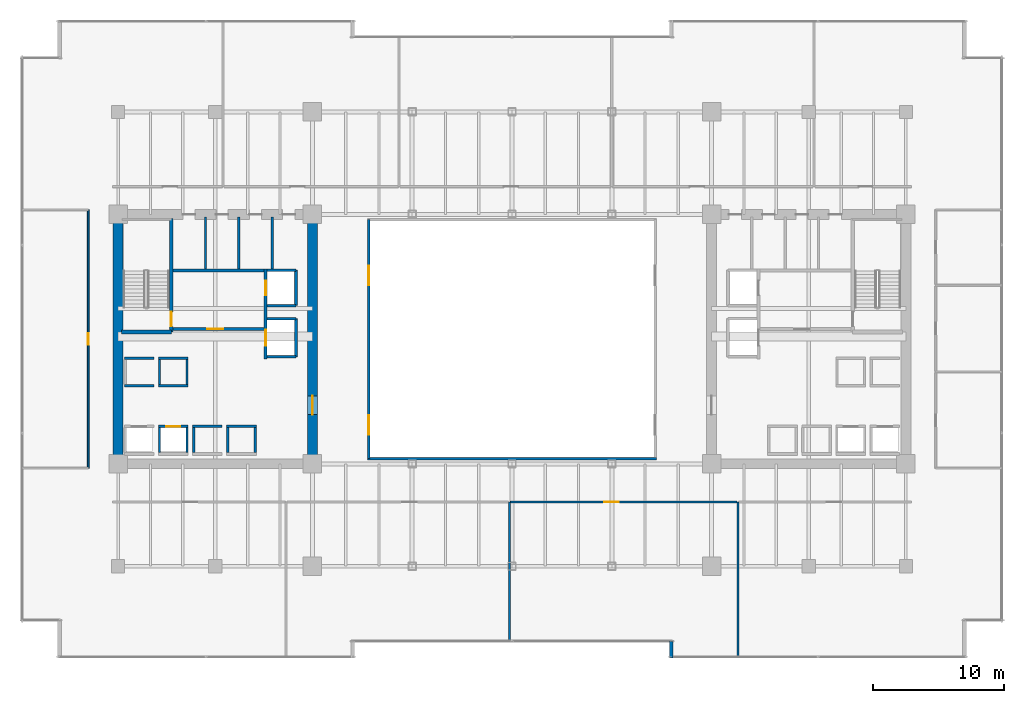
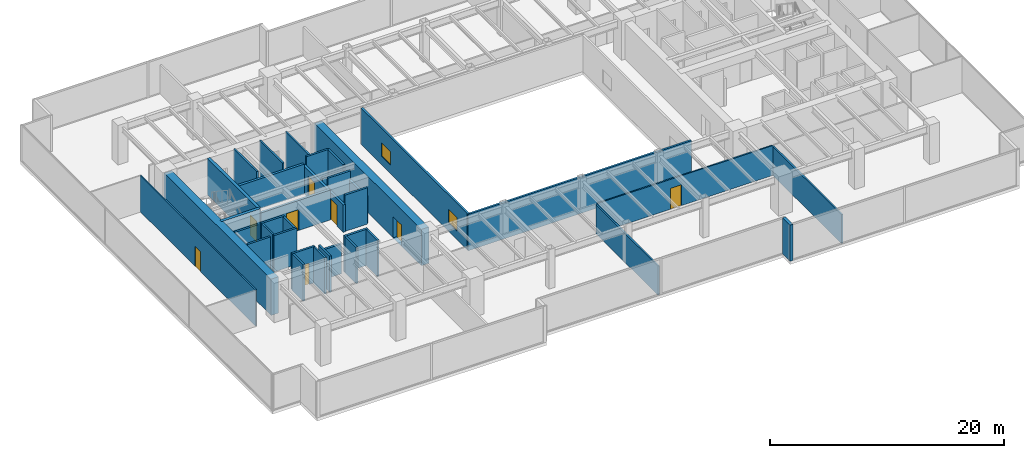
# One storey, part 29 of 35: 37 walls, 8 doors, 2 windows, 10 openings.
"""IFC4 building model written with IfcOpenShell, lengths in metres."""

from ifc_helpers import new_model, si_unit, direction, frame, frame_2d, origin, place, context, subcontext, project, spatial, rectangle, extrude, source, transform, mapped, material, layer, layer_set, type_object, type_shapes, element, fill, save


model = new_model("IFC4")

# Units and contexts
model_context = context("Model", 3, precision=1e-05, world=origin(), true_north=direction((0.0, 1.0)))
body_context = subcontext(model_context, "Body", "Model", "MODEL_VIEW")
ifc_project = project(units=[si_unit("LENGTHUNIT", "METRE"), si_unit("AREAUNIT", "SQUARE_METRE"), si_unit("VOLUMEUNIT", "CUBIC_METRE"), si_unit("PLANEANGLEUNIT", "RADIAN"), si_unit("MASSUNIT", "GRAM", prefix="KILO")], contexts=[model_context])

# Site, building, storey
site_placement = place(None, origin())
site = spatial("IfcSite", under=ifc_project, at=site_placement, CompositionType="ELEMENT")
building_placement = place(site_placement, origin())
building = spatial("IfcBuilding", under=site, at=building_placement, Name="Haelvirn Gate Laboratories", CompositionType="ELEMENT")
storey_placement = place(building_placement, frame((0.0, 0.0, 66.199951171875)))
storey = spatial("IfcBuildingStorey", under=building, at=storey_placement, Name="L16", CompositionType="ELEMENT", Elevation=66.199951171875)

# Walls
ifc_material_1 = material(Name="Thermally-broken bronze aluminium rainscreen & mineral wool", Category="aluminium")
ifc_layer_1 = layer(ifc_material_1, 0.280029296875, Name="EW-TERR-280")
ifc_layer_set_1 = layer_set([ifc_layer_1], Name="Thermally-broken bronze aluminium rainscreen & mineral wool")
wall_type_1 = type_object("IfcWallType", Name="EW-TERR-280", PredefinedType="STANDARD", material=ifc_layer_set_1)
wall_1_placement = place(storey_placement, frame((49.5400390625, 1.2880859375, 0.0), z_axis=(0.0, 0.0, 1.0), x_axis=(0.0, -1.0, 0.0)))
element("IfcWall", 1, at=wall_1_placement, inside=storey, type_object=wall_type_1, Name="L16 Atrium Recess Bronze Return Wall 03", PredefinedType="STANDARD", context=body_context, shape_type="SweptSolid", body=[
    extrude(rectangle(XDim=1.2880859375, YDim=0.280029296875, at=frame_2d((0.64404296875, 0.0))), origin(), (0.0, 0.0, 1.0), 3.780029296875),
])
ifc_material_2 = material(Name="Double-layer acoustic gypsum laboratory partition", Category="gypsum")
ifc_layer_2 = layer(ifc_material_2, 0.159912109375, Name="IW-ACOUST-160")
ifc_layer_set_2 = layer_set([ifc_layer_2], Name="Double-layer acoustic gypsum laboratory partition")
wall_type_2 = type_object("IfcWallType", Name="IW-ACOUST-160", PredefinedType="PARTITIONING", material=ifc_layer_set_2)
wall_2_placement = place(storey_placement, frame((37.199951171875, 1.31005859375, 0.0), z_axis=(0.0, 0.0, 1.0), x_axis=(0.0, 1.0, 0.0)))
element("IfcWall", 2, at=wall_2_placement, inside=storey, type_object=wall_type_2, Name="L16 Interior Wall IW-L16-SDIV-02", PredefinedType="PARTITIONING", context=body_context, shape_type="SweptSolid", body=[
    extrude(rectangle(XDim=10.579833984375, YDim=0.159912109375, at=frame_2d((5.2900390625, 0.0))), origin(), (0.0, 0.0, 1.0), 3.01513671875),
])
wall_3_placement = place(storey_placement, frame((54.60009765625, 0.110107421875, 0.0), z_axis=(0.0, 0.0, 1.0), x_axis=(0.0, 1.0, 0.0)))
element("IfcWall", 3, at=wall_3_placement, inside=storey, type_object=wall_type_2, Name="L16 Interior Wall IW-L16-SDIV-03", PredefinedType="PARTITIONING", context=body_context, shape_type="SweptSolid", body=[
    extrude(rectangle(XDim=11.77978515625, YDim=0.159912109375, at=frame_2d((5.889892578125, 0.0))), origin(), (0.0, 0.0, 1.0), 3.01513671875),
])

# Wall, openings, windows
ifc_material_3 = material(Name="Tempered fire-rated borosilicate glass & anodised aluminium", Category="aluminium")
ifc_layer_3 = layer(ifc_material_3, 0.195068359375, Name="IW-GLAZ-200")
ifc_layer_set_3 = layer_set([ifc_layer_3], Name="Tempered fire-rated borosilicate glass & anodised aluminium")
wall_type_3 = type_object("IfcWallType", Name="IW-GLAZ-200", PredefinedType="SOLIDWALL", material=ifc_layer_set_3)
wall_4_placement = place(storey_placement, frame((26.5, 15.199951171875, 0.0), z_axis=(0.0, 0.0, 1.0), x_axis=(0.0, 1.0, 0.0)))
wall_4 = element("IfcWall", 4, at=wall_4_placement, inside=storey, type_object=wall_type_3, Name="L16 Interior Wall IW-L16-ATRIUM-W", PredefinedType="SOLIDWALL", context=body_context, shape_type="SweptSolid", body=[
    extrude(rectangle(XDim=18.199951171875, YDim=0.195068359375, at=frame_2d((9.10009765625, 0.0))), origin(), (0.0, 0.0, 1.0), 3.780029296875),
])
opening_1_placement = place(wall_4_placement, frame((1.800048828125, 0.0, 0.89990234375)))
opening_1 = element("IfcOpeningElement", 5, at=opening_1_placement, cuts=wall_4, Name="Opening W5", PredefinedType="OPENING", context=body_context, shape_type="SweptSolid", body=[
    extrude(rectangle(XDim=1.5, YDim=1.39990234375, at=frame_2d((0.75, 0.699951171875))), frame((0.0, 0.107421875, 0.0), z_axis=(0.0, -1.0, 0.0), x_axis=(1.0, 0.0, 0.0)), (0.0, 0.0, 1.0), 0.215087890625),
])
opening_2_placement = place(wall_4_placement, frame((13.199951171875, 0.0, 0.89990234375)))
opening_2 = element("IfcOpeningElement", 6, at=opening_2_placement, cuts=wall_4, Name="Opening W5", PredefinedType="OPENING", context=body_context, shape_type="SweptSolid", body=[
    extrude(rectangle(XDim=1.5, YDim=1.39990234375, at=frame_2d((0.75, 0.699951171875))), frame((0.0, 0.107421875, 0.0), z_axis=(0.0, -1.0, 0.0), x_axis=(1.0, 0.0, 0.0)), (0.0, 0.0, 1.0), 0.215087890625),
])
ifc_material_4 = material(Name="Fire-rated EI 120 borosilicate atrium vision glazing", Category="glass")
window_type = type_object("IfcWindowType", Name="WN-ATR-1500", PartitioningType="SINGLE_PANEL", PredefinedType="WINDOW", material=ifc_material_4)
shared_shape_1 = source(origin(), body_context, "Body", "SweptSolid", [
    extrude(rectangle(XDim=1.5, YDim=1.39990234375, at=frame_2d((0.75, 0.699951171875))), frame((0.0, 0.030029296875, 0.0), z_axis=(0.0, -1.0, 0.0), x_axis=(1.0, 0.0, 0.0)), (0.0, 0.0, 1.0), 0.06005859375),
])
type_shapes(window_type, [shared_shape_1])
window_1_placement = place(opening_1_placement, origin())
window_1 = element("IfcWindow", 7, at=window_1_placement, inside=storey, type_object=window_type, Name="L16 Atrium Observation Window 1", OverallHeight=1.39990234375, OverallWidth=1.5, PartitioningType="SINGLE_PANEL", PredefinedType="WINDOW", context=body_context, shape_type="MappedRepresentation", body=[
    mapped(shared_shape_1, transform((0.0, 0.0, 0.0), scale=1.0)),
])
fill(opening_1, window_1)
window_2_placement = place(opening_2_placement, origin())
window_2 = element("IfcWindow", 8, at=window_2_placement, inside=storey, type_object=window_type, Name="L16 Atrium Observation Window 2", OverallHeight=1.39990234375, OverallWidth=1.5, PartitioningType="SINGLE_PANEL", PredefinedType="WINDOW", context=body_context, shape_type="MappedRepresentation", body=[
    mapped(shared_shape_1, transform((0.0, 0.0, 0.0), scale=1.0)),
])
fill(opening_2, window_2)

# Wall
wall_5_placement = place(storey_placement, frame((26.39990234375, 15.199951171875, 0.0), z_axis=(0.0, 0.0, 1.0), x_axis=(1.0, 0.0, 0.0)))
element("IfcWall", 9, at=wall_5_placement, inside=storey, type_object=wall_type_3, Name="L16 Interior Wall IW-L16-ATRIUM-S", PredefinedType="SOLIDWALL", context=body_context, shape_type="SweptSolid", body=[
    extrude(rectangle(XDim=22.0, YDim=0.195068359375, at=frame_2d((11.0, 0.0))), origin(), (0.0, 0.0, 1.0), 3.780029296875),
])

# Wall, opening, door
ifc_material_5 = material(Name="Lightweight acoustic gypsum board partition", Category="gypsum")
ifc_layer_4 = layer(ifc_material_5, 0.1201171875, Name="IW-PART-120")
ifc_layer_set_4 = layer_set([ifc_layer_4], Name="Lightweight acoustic gypsum board partition")
wall_type_4 = type_object("IfcWallType", Name="IW-PART-120", PredefinedType="PARTITIONING", material=ifc_layer_set_4)
wall_6_placement = place(storey_placement, frame((5.1298828125, 14.465087890625, 0.0), z_axis=(0.0, 0.0, 1.0), x_axis=(0.0, 1.0, 0.0)))
wall_6 = element("IfcWall", 10, at=wall_6_placement, inside=storey, type_object=wall_type_4, Name="L16 Interior Wall IW-L16-WPASS-01", PredefinedType="PARTITIONING", context=body_context, shape_type="SweptSolid", body=[
    extrude(rectangle(XDim=19.669921875, YDim=0.1201171875, at=frame_2d((9.8349609375, 0.0))), origin(), (0.0, 0.0, 1.0), 3.780029296875),
])
opening_3_placement = place(wall_6_placement, frame((9.385009765625, 0.0, 0.0)))
opening_3 = element("IfcOpeningElement", 11, at=opening_3_placement, cuts=wall_6, Name="Opening D4", PredefinedType="OPENING", context=body_context, shape_type="SweptSolid", body=[
    extrude(rectangle(XDim=0.89990234375, YDim=2.10009765625, at=frame_2d((0.449951171875, 1.050048828125))), frame((0.0, 0.070068359375, 0.0), z_axis=(0.0, -1.0, 0.0), x_axis=(1.0, 0.0, 0.0)), (0.0, 0.0, 1.0), 0.14013671875),
])
ifc_material_6 = material(Name="Glazed aluminium-framed write-up door", Category="aluminium")
door_type_1 = type_object("IfcDoorType", Name="DR-OFF-900", OperationType="NOTDEFINED", PredefinedType="DOOR", material=ifc_material_6)
shared_shape_2 = source(origin(), body_context, "Body", "SweptSolid", [
    extrude(rectangle(XDim=0.89990234375, YDim=2.10009765625, at=frame_2d((0.449951171875, 1.050048828125))), frame((0.0, 0.02490234375, 0.0), z_axis=(0.0, -1.0, 0.0), x_axis=(1.0, 0.0, 0.0)), (0.0, 0.0, 1.0), 0.050048828125),
])
type_shapes(door_type_1, [shared_shape_2])
door_1_placement = place(opening_3_placement, origin())
door_1 = element("IfcDoor", 12, at=door_1_placement, inside=storey, type_object=door_type_1, Name="L16 Floor Hydration & Tea Servery Door W1", OperationType="SINGLE_SWING_LEFT", OverallHeight=2.10009765625, OverallWidth=0.89990234375, PredefinedType="DOOR", context=body_context, shape_type="MappedRepresentation", body=[
    mapped(shared_shape_2, transform((0.0, 0.0, 0.0), scale=1.0)),
])
fill(opening_3, door_1)

ifc_material_7 = material(Name="Acoustic mineral-wool gypsum board partition", Category="gypsum")
ifc_layer_5 = layer(ifc_material_7, 0.139892578125, Name="IW-PART-140")
ifc_layer_set_5 = layer_set([ifc_layer_5], Name="Acoustic mineral-wool gypsum board partition")
wall_type_5 = type_object("IfcWallType", Name="IW-PART-140", PredefinedType="PARTITIONING", material=ifc_layer_set_5)
wall_7_placement = place(storey_placement, frame((37.280029296875, 11.889892578125, 0.0), z_axis=(0.0, 0.0, 1.0), x_axis=(1.0, 0.0, 0.0)))
wall_7 = element("IfcWall", 13, at=wall_7_placement, inside=storey, type_object=wall_type_5, Name="L16 Interior Wall IW-L16-SCORR-03", PredefinedType="PARTITIONING", context=body_context, shape_type="SweptSolid", body=[
    extrude(rectangle(XDim=17.239990234375, YDim=0.139892578125, at=frame_2d((8.6201171875, 0.0))), origin(), (0.0, 0.0, 1.0), 3.114990234375),
])
opening_4_placement = place(wall_7_placement, frame((7.1435546875, 0.0, 0.0)))
opening_4 = element("IfcOpeningElement", 14, at=opening_4_placement, cuts=wall_7, Name="Opening D1", PredefinedType="OPENING", context=body_context, shape_type="SweptSolid", body=[
    extrude(rectangle(XDim=1.10009765625, YDim=2.179931640625, at=frame_2d((0.550048828125, 1.08984375))), frame((0.0, 0.080078125, 0.0), z_axis=(0.0, -1.0, 0.0), x_axis=(1.0, 0.0, 0.0)), (0.0, 0.0, 1.0), 0.159912109375),
])
ifc_material_8 = material(Name="Vision-panel acoustic solid-core timber lab door", Category="wood")
door_type_2 = type_object("IfcDoorType", Name="DR-LAB-1100", OperationType="NOTDEFINED", PredefinedType="DOOR", material=ifc_material_8)
shared_shape_3 = source(origin(), body_context, "Body", "SweptSolid", [
    extrude(rectangle(XDim=1.10009765625, YDim=2.179931640625, at=frame_2d((0.550048828125, 1.08984375))), frame((0.0, 0.02490234375, 0.0), z_axis=(0.0, -1.0, 0.0), x_axis=(1.0, 0.0, 0.0)), (0.0, 0.0, 1.0), 0.050048828125),
])
type_shapes(door_type_2, [shared_shape_3])
door_2_placement = place(opening_4_placement, origin())
door_2 = element("IfcDoor", 15, at=door_2_placement, inside=storey, type_object=door_type_2, Name="L16 Bioinformatics Dry-Lab Workspace Door S3", OperationType="SINGLE_SWING_LEFT", OverallHeight=2.179931640625, OverallWidth=1.10009765625, PredefinedType="DOOR", context=body_context, shape_type="MappedRepresentation", body=[
    mapped(shared_shape_3, transform((0.0, 0.0, 0.0), scale=1.0)),
])
fill(opening_4, door_2)

# Walls
ifc_material_9 = material(Name="Cement-board restroom plumbing chase wall", Category="gypsum")
ifc_layer_6 = layer(ifc_material_9, 0.155029296875, Name="IW-PLUMB-160")
ifc_layer_set_6 = layer_set([ifc_layer_6], Name="Cement-board restroom plumbing chase wall")
wall_type_6 = type_object("IfcWallType", Name="IW-PLUMB-160", PredefinedType="PLUMBINGWALL", material=ifc_layer_set_6)
for number, where, z_axis, x_axis, name in (
    (16, (14.0400390625, 29.64990234375, 0.0), (0.0, 0.0, 1.0), (0.0, 1.0, 0.0), "L16 Interior Wall IW-L16-W-CDIV-1"),
    (17, (16.590087890625, 29.64990234375, 0.0), (0.0, 0.0, 1.0), (0.0, 1.0, 0.0), "L16 Interior Wall IW-L16-W-CDIV-2"),
    (18, (19.139892578125, 29.64990234375, 0.0), (0.0, 0.0, 1.0), (0.0, 1.0, 0.0), "L16 Interior Wall IW-L16-W-CDIV-3"),
):
    element("IfcWall", number, at=place(storey_placement, frame(where, z_axis=z_axis, x_axis=x_axis)), inside=storey, type_object=wall_type_6, Name=name, PredefinedType="PLUMBINGWALL", context=body_context, shape_type="SweptSolid", body=[
        extrude(rectangle(XDim=3.93017578125, YDim=0.155029296875, at=frame_2d((1.965087890625, 0.0))), origin(), (0.0, 0.0, 1.0), 3.780029296875),
    ])
ifc_material_10 = material(Name="Concrete C40/50", Category="concrete")
ifc_layer_7 = layer(ifc_material_10, 0.179931640625, Name="IW-SHAFT-180")
ifc_layer_set_7 = layer_set([ifc_layer_7], Name="Concrete C40/50")
wall_type_7 = type_object("IfcWallType", Name="IW-SHAFT-180", PredefinedType="SOLIDWALL", material=ifc_layer_set_7)
for number, where, z_axis, x_axis, name in (
    (19, (10.550048828125, 15.64990234375, 0.0), (0.0, 0.0, 1.0), (0.0, 1.0, 0.0), "L16 Interior Wall IW-L16-PL2-SD"),
    (20, (12.64990234375, 15.64990234375, 0.0), (0.0, 0.0, 1.0), (0.0, 1.0, 0.0), "L16 Interior Wall IW-L16-PL2-SDE"),
    (21, (13.14990234375, 15.64990234375, 0.0), (0.0, 0.0, 1.0), (0.0, 1.0, 0.0), "L16 Interior Wall IW-L16-PL5-SD"),
    (22, (15.75, 15.64990234375, 0.0), (0.0, 0.0, 1.0), (0.0, 1.0, 0.0), "L16 Interior Wall IW-L16-PL6-SD"),
    (23, (17.85009765625, 15.64990234375, 0.0), (0.0, 0.0, 1.0), (0.0, 1.0, 0.0), "L16 Interior Wall IW-L16-PL6-SDE"),
):
    element("IfcWall", number, at=place(storey_placement, frame(where, z_axis=z_axis, x_axis=x_axis)), inside=storey, type_object=wall_type_7, Name=name, PredefinedType="SOLIDWALL", context=body_context, shape_type="SweptSolid", body=[
        extrude(rectangle(XDim=1.900146484375, YDim=0.179931640625, at=frame_2d((0.9501953125, 0.0))), origin(), (0.0, 0.0, 1.0), 3.780029296875),
    ])
for number, where, z_axis, x_axis, name in (
    (24, (10.550048828125, 20.85009765625, 0.0), (0.0, 0.0, 1.0), (0.0, 1.0, 0.0), "L16 Interior Wall IW-L16-PL10-SD"),
    (25, (12.64990234375, 20.85009765625, 0.0), (0.0, 0.0, 1.0), (0.0, 1.0, 0.0), "L16 Interior Wall IW-L16-PL10-SDE"),
):
    element("IfcWall", number, at=place(storey_placement, frame(where, z_axis=z_axis, x_axis=x_axis)), inside=storey, type_object=wall_type_7, Name=name, PredefinedType="SOLIDWALL", context=body_context, shape_type="SweptSolid", body=[
        extrude(rectangle(XDim=1.89990234375, YDim=0.179931640625, at=frame_2d((0.949951171875, 0.0))), origin(), (0.0, 0.0, 1.0), 3.780029296875),
    ])

# Wall, opening, door
ifc_layer_8 = layer(ifc_material_10, 0.199951171875, Name="IW-SHAFT-200")
ifc_layer_set_8 = layer_set([ifc_layer_8], Name="Concrete C40/50")
wall_type_8 = type_object("IfcWallType", Name="IW-SHAFT-200", PredefinedType="SOLIDWALL", material=ifc_layer_set_8)
wall_8_placement = place(storey_placement, frame((10.469970703125, 17.64990234375, 0.0), z_axis=(0.0, 0.0, 1.0), x_axis=(1.0, 0.0, 0.0)))
wall_8 = element("IfcWall", 26, at=wall_8_placement, inside=storey, type_object=wall_type_8, Name="L16 Interior Wall IW-L16-PL2-FR", PredefinedType="SOLIDWALL", context=body_context, shape_type="SweptSolid", body=[
    extrude(rectangle(XDim=2.260009765625, YDim=0.199951171875, at=frame_2d((1.1298828125, 0.0))), origin(), (0.0, 0.0, 1.0), 3.780029296875),
])
opening_5_placement = place(wall_8_placement, frame((0.580078125, 0.0, 0.0)))
opening_5 = element("IfcOpeningElement", 27, at=opening_5_placement, cuts=wall_8, Name="Opening LD2", PredefinedType="OPENING", context=body_context, shape_type="SweptSolid", body=[
    extrude(rectangle(XDim=1.10009765625, YDim=2.219970703125, at=frame_2d((0.550048828125, 1.10986328125))), frame((0.0, 0.10986328125, 0.0), z_axis=(0.0, -1.0, 0.0), x_axis=(1.0, 0.0, 0.0)), (0.0, 0.0, 1.0), 0.219970703125),
])
ifc_material_11 = material(Name="Bronze stainless 316L sliding lift landing door")
door_type_3 = type_object("IfcDoorType", Name="DR-LD-1100", OperationType="NOTDEFINED", PredefinedType="USERDEFINED", material=ifc_material_11)
shared_shape_4 = source(origin(), body_context, "Body", "SweptSolid", [
    extrude(rectangle(XDim=1.10009765625, YDim=2.219970703125, at=frame_2d((0.550048828125, 1.10986328125))), frame((0.0, 0.02490234375, 0.0), z_axis=(0.0, -1.0, 0.0), x_axis=(1.0, 0.0, 0.0)), (0.0, 0.0, 1.0), 0.050048828125),
])
type_shapes(door_type_3, [shared_shape_4])
door_3_placement = place(opening_5_placement, origin())
door_3 = element("IfcDoor", 28, at=door_3_placement, inside=storey, type_object=door_type_3, Name="L16 Passenger Lift PL2 Landing Door", ObjectType="LANDING_DOOR", OperationType="SLIDING_TO_RIGHT", OverallHeight=2.219970703125, OverallWidth=1.10009765625, PredefinedType="USERDEFINED", context=body_context, shape_type="MappedRepresentation", body=[
    mapped(shared_shape_4, transform((0.0, 0.0, 0.0), scale=1.0)),
])
fill(opening_5, door_3)

# Walls
wall_9_placement = place(storey_placement, frame((13.070068359375, 17.64990234375, 0.0), z_axis=(0.0, 0.0, 1.0), x_axis=(1.0, 0.0, 0.0)))
element("IfcWall", 29, at=wall_9_placement, inside=storey, type_object=wall_type_8, Name="L16 Interior Wall IW-L16-PL5-FR", PredefinedType="SOLIDWALL", context=body_context, shape_type="SweptSolid", body=[
    extrude(rectangle(XDim=2.260009765625, YDim=0.199951171875, at=frame_2d((1.1298828125, 0.0))), origin(), (0.0, 0.0, 1.0), 3.114990234375),
])
wall_10_placement = place(storey_placement, frame((15.669921875, 17.64990234375, 0.0), z_axis=(0.0, 0.0, 1.0), x_axis=(1.0, 0.0, 0.0)))
element("IfcWall", 30, at=wall_10_placement, inside=storey, type_object=wall_type_8, Name="L16 Interior Wall IW-L16-PL6-FR", PredefinedType="SOLIDWALL", context=body_context, shape_type="SweptSolid", body=[
    extrude(rectangle(XDim=2.260009765625, YDim=0.199951171875, at=frame_2d((1.1298828125, 0.0))), origin(), (0.0, 0.0, 1.0), 3.780029296875),
])
for number, where, z_axis, x_axis, name in (
    (31, (7.8701171875, 20.75, 0.0), (0.0, 0.0, 1.0), (1.0, 0.0, 0.0), "L16 Interior Wall IW-L16-PL9-FR"),
    (32, (7.8701171875, 22.85009765625, 0.0), (0.0, 0.0, 1.0), (1.0, 0.0, 0.0), "L16 Interior Wall IW-L16-PL9-BK"),
):
    element("IfcWall", number, at=place(storey_placement, frame(where, z_axis=z_axis, x_axis=x_axis)), inside=storey, type_object=wall_type_8, Name=name, PredefinedType="SOLIDWALL", context=body_context, shape_type="SweptSolid", body=[
        extrude(rectangle(XDim=2.259765625, YDim=0.199951171875, at=frame_2d((1.1298828125, 0.0))), origin(), (0.0, 0.0, 1.0), 3.780029296875),
    ])
for number, where, z_axis, x_axis, name in (
    (33, (10.469970703125, 20.75, 0.0), (0.0, 0.0, 1.0), (1.0, 0.0, 0.0), "L16 Interior Wall IW-L16-PL10-FR"),
    (34, (10.469970703125, 22.85009765625, 0.0), (0.0, 0.0, 1.0), (1.0, 0.0, 0.0), "L16 Interior Wall IW-L16-PL10-BK"),
):
    element("IfcWall", number, at=place(storey_placement, frame(where, z_axis=z_axis, x_axis=x_axis)), inside=storey, type_object=wall_type_8, Name=name, PredefinedType="SOLIDWALL", context=body_context, shape_type="SweptSolid", body=[
        extrude(rectangle(XDim=2.260009765625, YDim=0.199951171875, at=frame_2d((1.1298828125, 0.0))), origin(), (0.0, 0.0, 1.0), 3.780029296875),
    ])
wall_11_placement = place(storey_placement, frame((20.949951171875, 26.85009765625, 0.0), z_axis=(0.0, 0.0, 1.0), x_axis=(0.0, 1.0, 0.0)))
element("IfcWall", 35, at=wall_11_placement, inside=storey, type_object=wall_type_8, Name="L16 Interior Wall IW-L16-FL1-BK", PredefinedType="SOLIDWALL", context=body_context, shape_type="SweptSolid", body=[
    extrude(rectangle(XDim=2.699951171875, YDim=0.199951171875, at=frame_2d((1.35009765625, 0.0))), origin(), (0.0, 0.0, 1.0), 3.780029296875),
])
wall_12_placement = place(storey_placement, frame((18.760009765625, 29.550048828125, 0.0), z_axis=(0.0, 0.0, 1.0), x_axis=(1.0, 0.0, 0.0)))
element("IfcWall", 36, at=wall_12_placement, inside=storey, type_object=wall_type_8, Name="L16 Interior Wall IW-L16-FL1-N", PredefinedType="SOLIDWALL", context=body_context, shape_type="SweptSolid", body=[
    extrude(rectangle(XDim=2.18994140625, YDim=0.199951171875, at=frame_2d((1.094970703125, 0.0))), origin(), (0.0, 0.0, 1.0), 3.780029296875),
])
wall_13_placement = place(storey_placement, frame((18.760009765625, 26.85009765625, 0.0), z_axis=(0.0, 0.0, 1.0), x_axis=(1.0, 0.0, 0.0)))
element("IfcWall", 37, at=wall_13_placement, inside=storey, type_object=wall_type_8, Name="L16 Interior Wall IW-L16-FL1-S", PredefinedType="SOLIDWALL", context=body_context, shape_type="SweptSolid", body=[
    extrude(rectangle(XDim=2.18994140625, YDim=0.199951171875, at=frame_2d((1.094970703125, 0.0))), origin(), (0.0, 0.0, 1.0), 3.177001953125),
])
wall_14_placement = place(storey_placement, frame((20.949951171875, 22.949951171875, 0.0), z_axis=(0.0, 0.0, 1.0), x_axis=(0.0, 1.0, 0.0)))
element("IfcWall", 38, at=wall_14_placement, inside=storey, type_object=wall_type_8, Name="L16 Interior Wall IW-L16-SL1-BK", PredefinedType="SOLIDWALL", context=body_context, shape_type="SweptSolid", body=[
    extrude(rectangle(XDim=2.900146484375, YDim=0.199951171875, at=frame_2d((1.4501953125, 0.0))), origin(), (0.0, 0.0, 1.0), 2.864990234375),
])
for number, where, z_axis, x_axis, name in (
    (39, (18.760009765625, 25.85009765625, 0.0), (0.0, 0.0, 1.0), (1.0, 0.0, 0.0), "L16 Interior Wall IW-L16-SL1-N"),
    (40, (18.760009765625, 22.949951171875, 0.0), (0.0, 0.0, 1.0), (1.0, 0.0, 0.0), "L16 Interior Wall IW-L16-SL1-S"),
):
    element("IfcWall", number, at=place(storey_placement, frame(where, z_axis=z_axis, x_axis=x_axis)), inside=storey, type_object=wall_type_8, Name=name, PredefinedType="SOLIDWALL", context=body_context, shape_type="SweptSolid", body=[
        extrude(rectangle(XDim=2.18994140625, YDim=0.199951171875, at=frame_2d((1.094970703125, 0.0))), origin(), (0.0, 0.0, 1.0), 3.780029296875),
    ])

# Wall, opening, door
ifc_layer_9 = layer(ifc_material_10, 0.239990234375, Name="IW-SHAFT-240")
ifc_layer_set_9 = layer_set([ifc_layer_9], Name="Concrete C40/50")
wall_type_9 = type_object("IfcWallType", Name="IW-SHAFT-240", PredefinedType="SOLIDWALL", material=ifc_layer_set_9)
wall_15_placement = place(storey_placement, frame((11.60009765625, 25.080078125, 0.0), z_axis=(0.0, 0.0, 1.0), x_axis=(1.0, 0.0, 0.0)))
wall_15 = element("IfcWall", 41, at=wall_15_placement, inside=storey, type_object=wall_type_9, Name="L16 Interior Wall IW-L16-W-FF-S", PredefinedType="SOLIDWALL", context=body_context, shape_type="SweptSolid", body=[
    extrude(rectangle(XDim=6.919921875, YDim=0.239990234375, at=frame_2d((3.4599609375, 0.0))), origin(), (0.0, 0.0, 1.0), 3.114990234375),
])
opening_6_placement = place(wall_15_placement, frame((2.60009765625, 0.0, 0.0)))
opening_6 = element("IfcOpeningElement", 42, at=opening_6_placement, cuts=wall_15, Name="Opening FD2", PredefinedType="OPENING", context=body_context, shape_type="SweptSolid", body=[
    extrude(rectangle(XDim=1.199951171875, YDim=2.159912109375, at=frame_2d((0.60009765625, 1.080078125))), frame((0.0, 0.1298828125, 0.0), z_axis=(0.0, -1.0, 0.0), x_axis=(1.0, 0.0, 0.0)), (0.0, 0.0, 1.0), 0.260009765625),
])
ifc_material_12 = material(Name="Fire-rated steel SM355 compartment door", Category="steel")
door_type_4 = type_object("IfcDoorType", Name="DR-FD-1200", OperationType="NOTDEFINED", PredefinedType="DOOR", material=ifc_material_12)
shared_shape_5 = source(origin(), body_context, "Body", "SweptSolid", [
    extrude(rectangle(XDim=1.199951171875, YDim=2.159912109375, at=frame_2d((0.60009765625, 1.080078125))), frame((0.0, 0.02490234375, 0.0), z_axis=(0.0, -1.0, 0.0), x_axis=(1.0, 0.0, 0.0)), (0.0, 0.0, 1.0), 0.050048828125),
])
type_shapes(door_type_4, [shared_shape_5])
door_4_placement = place(opening_6_placement, origin())
door_4 = element("IfcDoor", 43, at=door_4_placement, inside=storey, type_object=door_type_4, Name="L16 West Firefighting Lobby Door", OperationType="SINGLE_SWING_RIGHT", OverallHeight=2.159912109375, OverallWidth=1.199951171875, PredefinedType="DOOR", context=body_context, shape_type="MappedRepresentation", body=[
    mapped(shared_shape_5, transform((0.0, 0.0, 0.0), scale=1.0)),
])
fill(opening_6, door_4)

# Wall
wall_16_placement = place(storey_placement, frame((11.60009765625, 29.52001953125, 0.0), z_axis=(0.0, 0.0, 1.0), x_axis=(1.0, 0.0, 0.0)))
element("IfcWall", 44, at=wall_16_placement, inside=storey, type_object=wall_type_9, Name="L16 Interior Wall IW-L16-W-FF-N", PredefinedType="SOLIDWALL", context=body_context, shape_type="SweptSolid", body=[
    extrude(rectangle(XDim=6.919921875, YDim=0.239990234375, at=frame_2d((3.4599609375, 0.0))), origin(), (0.0, 0.0, 1.0), 3.114990234375),
])

# Wall, openings, doors
wall_17_placement = place(storey_placement, frame((18.639892578125, 22.800048828125, 0.0), z_axis=(0.0, 0.0, 1.0), x_axis=(0.0, 1.0, 0.0)))
wall_17 = element("IfcWall", 45, at=wall_17_placement, inside=storey, type_object=wall_type_9, Name="L16 Interior Wall IW-L16-W-FF-E", PredefinedType="SOLIDWALL", context=body_context, shape_type="SweptSolid", body=[
    extrude(rectangle(XDim=6.849853515625, YDim=0.239990234375, at=frame_2d((3.4248046875, 0.0))), origin(), (0.0, 0.0, 1.0), 2.864990234375),
])
opening_7_placement = place(wall_17_placement, frame((4.85009765625, 0.0, 0.0)))
opening_7 = element("IfcOpeningElement", 46, at=opening_7_placement, cuts=wall_17, Name="Opening LD2", PredefinedType="OPENING", context=body_context, shape_type="SweptSolid", body=[
    extrude(rectangle(XDim=1.10009765625, YDim=2.219970703125, at=frame_2d((0.550048828125, 1.10986328125))), frame((0.0, 0.1298828125, 0.0), z_axis=(0.0, -1.0, 0.0), x_axis=(1.0, 0.0, 0.0)), (0.0, 0.0, 1.0), 0.260009765625),
])
opening_8_placement = place(wall_17_placement, frame((1.0, 0.0, 0.0)))
opening_8 = element("IfcOpeningElement", 47, at=opening_8_placement, cuts=wall_17, Name="Opening LD1", PredefinedType="OPENING", context=body_context, shape_type="SweptSolid", body=[
    extrude(rectangle(XDim=1.199951171875, YDim=2.219970703125, at=frame_2d((0.60009765625, 1.10986328125))), frame((0.0, 0.1298828125, 0.0), z_axis=(0.0, -1.0, 0.0), x_axis=(1.0, 0.0, 0.0)), (0.0, 0.0, 1.0), 0.260009765625),
])
door_5_placement = place(opening_7_placement, origin())
door_5 = element("IfcDoor", 48, at=door_5_placement, inside=storey, type_object=door_type_3, Name="L16 Firefighting Lift FL1 Landing Door", ObjectType="LANDING_DOOR", OperationType="SLIDING_TO_LEFT", OverallHeight=2.219970703125, OverallWidth=1.10009765625, PredefinedType="USERDEFINED", context=body_context, shape_type="MappedRepresentation", body=[
    mapped(shared_shape_4, transform((0.0, 0.0, 0.0), scale=1.0)),
])
fill(opening_7, door_5)
ifc_material_13 = material(Name="Stainless steel 316L sliding goods landing door", Category="steel")
door_type_5 = type_object("IfcDoorType", Name="DR-LD-1200", OperationType="NOTDEFINED", PredefinedType="USERDEFINED", material=ifc_material_13)
shared_shape_6 = source(origin(), body_context, "Body", "SweptSolid", [
    extrude(rectangle(XDim=1.199951171875, YDim=2.219970703125, at=frame_2d((0.60009765625, 1.10986328125))), frame((0.0, 0.02490234375, 0.0), z_axis=(0.0, -1.0, 0.0), x_axis=(1.0, 0.0, 0.0)), (0.0, 0.0, 1.0), 0.050048828125),
])
type_shapes(door_type_5, [shared_shape_6])
door_6_placement = place(opening_8_placement, origin())
door_6 = element("IfcDoor", 49, at=door_6_placement, inside=storey, type_object=door_type_5, Name="L16 Service Lift SL1 Landing Door", ObjectType="LANDING_DOOR", OperationType="SLIDING_TO_RIGHT", OverallHeight=2.219970703125, OverallWidth=1.199951171875, PredefinedType="USERDEFINED", context=body_context, shape_type="MappedRepresentation", body=[
    mapped(shared_shape_6, transform((0.0, 0.0, 0.0), scale=1.0)),
])
fill(opening_8, door_6)

# Wall
ifc_material_14 = material(Name="Concrete C70/85", Category="concrete")
ifc_layer_10 = layer(ifc_material_14, 0.75, Name="SW-CORE-750")
ifc_layer_set_10 = layer_set([ifc_layer_10], Name="Concrete C70/85")
wall_type_10 = type_object("IfcWallType", Name="SW-CORE-750", PredefinedType="SHEAR", material=ifc_layer_set_10)
wall_18_placement = place(storey_placement, frame((7.39990234375, 15.175048828125, 0.0), z_axis=(0.0, 0.0, 1.0), x_axis=(0.0, 1.0, 0.0)))
element("IfcWall", 50, at=wall_18_placement, inside=storey, type_object=wall_type_10, Name="L16 W Core Shear Wall W", PredefinedType="SHEAR", context=body_context, shape_type="SweptSolid", body=[
    extrude(rectangle(XDim=18.25, YDim=0.75, at=frame_2d((9.125, 0.0))), origin(), (0.0, 0.0, 1.0), 3.780029296875),
])

# Wall, opening, door
wall_19_placement = place(storey_placement, frame((22.199951171875, 15.175048828125, 0.0), z_axis=(0.0, 0.0, 1.0), x_axis=(0.0, 1.0, 0.0)))
wall_19 = element("IfcWall", 51, at=wall_19_placement, inside=storey, type_object=wall_type_10, Name="L16 W Core Shear Wall E", PredefinedType="SHEAR", context=body_context, shape_type="SweptSolid", body=[
    extrude(rectangle(XDim=18.25, YDim=0.75, at=frame_2d((9.125, 0.0))), origin(), (0.0, 0.0, 1.0), 3.780029296875),
])
opening_9_placement = place(wall_19_placement, frame((3.375, 0.0, 0.0)))
opening_9 = element("IfcOpeningElement", 52, at=opening_9_placement, cuts=wall_19, Name="Opening FD1", PredefinedType="OPENING", context=body_context, shape_type="SweptSolid", body=[
    extrude(rectangle(XDim=1.419921875, YDim=2.199951171875, at=frame_2d((0.7099609375, 1.10009765625))), frame((0.0, 0.385009765625, 0.0), z_axis=(0.0, -1.0, 0.0), x_axis=(1.0, 0.0, 0.0)), (0.0, 0.0, 1.0), 0.77001953125),
])
ifc_material_15 = material(Name="Fire-rated double steel SM355 lobby door", Category="steel")
door_type_6 = type_object("IfcDoorType", Name="DR-FD-1400", OperationType="NOTDEFINED", PredefinedType="DOOR", material=ifc_material_15)
shared_shape_7 = source(origin(), body_context, "Body", "SweptSolid", [
    extrude(rectangle(XDim=1.419921875, YDim=2.199951171875, at=frame_2d((0.7099609375, 1.10009765625))), frame((0.0, 0.02490234375, 0.0), z_axis=(0.0, -1.0, 0.0), x_axis=(1.0, 0.0, 0.0)), (0.0, 0.0, 1.0), 0.050048828125),
])
type_shapes(door_type_6, [shared_shape_7])
door_7_placement = place(opening_9_placement, origin())
door_7 = element("IfcDoor", 53, at=door_7_placement, inside=storey, type_object=door_type_6, Name="L16 West Core Lift Lobby Fire Door", OperationType="DOUBLE_DOOR_SINGLE_SWING", OverallHeight=2.199951171875, OverallWidth=1.419921875, PredefinedType="DOOR", context=body_context, shape_type="MappedRepresentation", body=[
    mapped(shared_shape_7, transform((0.0, 0.0, 0.0), scale=1.0)),
])
fill(opening_9, door_7)

ifc_material_16 = material(Name="Concrete C50/60", Category="concrete")
ifc_layer_11 = layer(ifc_material_16, 0.300048828125, Name="SW-STAIR-300")
ifc_layer_set_11 = layer_set([ifc_layer_11], Name="Concrete C50/60")
wall_type_11 = type_object("IfcWallType", Name="SW-STAIR-300", PredefinedType="SHEAR", material=ifc_layer_set_11)
wall_20_placement = place(storey_placement, frame((11.449951171875, 24.85009765625, 0.0), z_axis=(0.0, 0.0, 1.0), x_axis=(0.0, 1.0, 0.0)))
wall_20 = element("IfcWall", 54, at=wall_20_placement, inside=storey, type_object=wall_type_11, Name="L16 W Core Stair Shaft Structural Wall IN", PredefinedType="SHEAR", context=body_context, shape_type="SweptSolid", body=[
    extrude(rectangle(XDim=8.6298828125, YDim=0.300048828125, at=frame_2d((4.31494140625, 0.0))), origin(), (0.0, 0.0, 1.0), 3.780029296875),
])
opening_10_placement = place(wall_20_placement, frame((0.419921875, 0.0, 0.0)))
opening_10 = element("IfcOpeningElement", 55, at=opening_10_placement, cuts=wall_20, Name="Opening FD3", PredefinedType="OPENING", context=body_context, shape_type="SweptSolid", body=[
    extrude(rectangle(XDim=1.10009765625, YDim=2.14990234375, at=frame_2d((0.550048828125, 1.074951171875))), frame((0.0, 0.16015625, 0.0), z_axis=(0.0, -1.0, 0.0), x_axis=(1.0, 0.0, 0.0)), (0.0, 0.0, 1.0), 0.320068359375),
])
ifc_material_17 = material(Name="Fire-rated steel SM355 escape stair door", Category="steel")
door_type_7 = type_object("IfcDoorType", Name="DR-FD-1100", OperationType="NOTDEFINED", PredefinedType="DOOR", material=ifc_material_17)
shared_shape_8 = source(origin(), body_context, "Body", "SweptSolid", [
    extrude(rectangle(XDim=1.10009765625, YDim=2.14990234375, at=frame_2d((0.550048828125, 1.074951171875))), frame((0.0, 0.02490234375, 0.0), z_axis=(0.0, -1.0, 0.0), x_axis=(1.0, 0.0, 0.0)), (0.0, 0.0, 1.0), 0.050048828125),
])
type_shapes(door_type_7, [shared_shape_8])
door_8_placement = place(opening_10_placement, origin())
door_8 = element("IfcDoor", 56, at=door_8_placement, inside=storey, type_object=door_type_7, Name="L16 Escape Stair ST1 Fire Door", OperationType="SINGLE_SWING_LEFT", OverallHeight=2.14990234375, OverallWidth=1.10009765625, PredefinedType="DOOR", context=body_context, shape_type="MappedRepresentation", body=[
    mapped(shared_shape_8, transform((0.0, 0.0, 0.0), scale=1.0)),
])
fill(opening_10, door_8)

# Wall
wall_21_placement = place(storey_placement, frame((7.64990234375, 24.85009765625, 0.0), z_axis=(0.0, 0.0, 1.0), x_axis=(1.0, 0.0, 0.0)))
element("IfcWall", 57, at=wall_21_placement, inside=storey, type_object=wall_type_11, Name="L16 W Core Stair Shaft Structural Wall S", PredefinedType="SHEAR", context=body_context, shape_type="SweptSolid", body=[
    extrude(rectangle(XDim=3.800048828125, YDim=0.300048828125, at=frame_2d((1.89990234375, 0.0))), origin(), (0.0, 0.0, 1.0), 3.780029296875),
])

save(model, "model.ifc")
